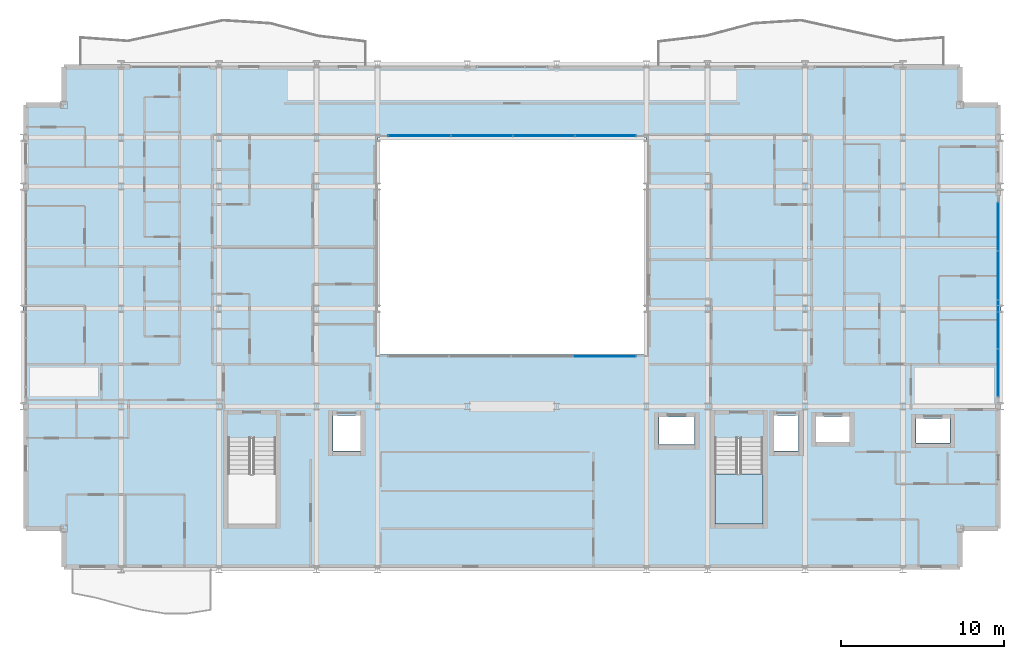
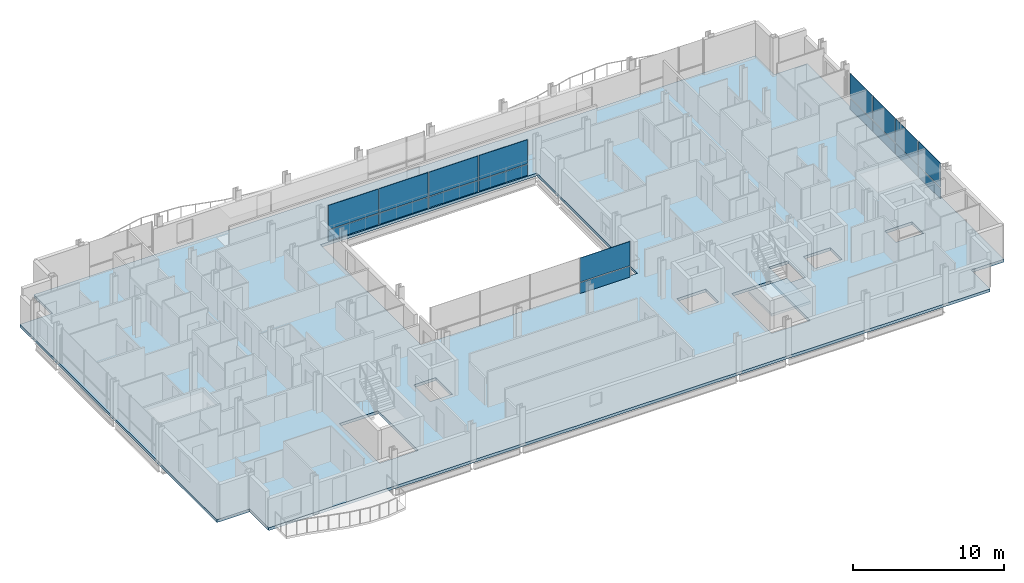
# One storey, part 27 of 41: 18 plates, 2 slabs, 4 elements without a shape of their own.
"""IFC4 building model written with IfcOpenShell, lengths in metres."""

from ifc_helpers import new_model, si_unit, direction, frame, origin, origin_2d, place, context, subcontext, project, spatial, polyline, rectangle, outline, extrude, material, layer, layer_set, type_object, element, aggregate, save


model = new_model("IFC4")

# Units and contexts
model_context = context("Model", 3, precision=1e-05, world=origin(), true_north=direction((0.0, 1.0)))
body_context = subcontext(model_context, "Body", "Model", "MODEL_VIEW")
ifc_project = project(units=[si_unit("LENGTHUNIT", "METRE"), si_unit("AREAUNIT", "SQUARE_METRE"), si_unit("VOLUMEUNIT", "CUBIC_METRE"), si_unit("PLANEANGLEUNIT", "RADIAN"), si_unit("MASSUNIT", "GRAM", prefix="KILO")], contexts=[model_context])

# Site, building, storey
site_placement = place(None, origin())
site = spatial("IfcSite", under=ifc_project, at=site_placement, CompositionType="ELEMENT")
building_placement = place(site_placement, origin())
building = spatial("IfcBuilding", under=site, at=building_placement, Name="Brevholm Reach", CompositionType="ELEMENT")
storey_placement = place(building_placement, frame((0.0, 0.0, 86.89990234375)))
storey = spatial("IfcBuildingStorey", under=building, at=storey_placement, Name="L25", CompositionType="ELEMENT", Elevation=86.89990234375)

# Curtain wall, plates
ifc_material_1 = material(Name="Dark Anodised Aluminium 6063-T6 and Solar-Control Glass", Category="aluminium")
ifc_layer_1 = layer(ifc_material_1, 0.14990234375)
ifc_layer_set_1 = layer_set([ifc_layer_1], Name="Dark Anodised Aluminium 6063-T6 and Solar-Control Glass")
curtain_wall_type_1 = type_object("IfcCurtainWallType", Name="CW-01", PredefinedType="NOTDEFINED", material=ifc_layer_set_1)
curtain_wall_1_placement = place(storey_placement, origin())
curtain_wall_1 = element("IfcCurtainWall", 1, at=curtain_wall_1_placement, inside=storey, type_object=curtain_wall_type_1, Name="L25 Curtain Wall CW-01", PredefinedType="NOTDEFINED")
ifc_material_2 = material(Name="Dark Solar-Control Double-Glazed IGU Glass", Category="glass")
ifc_layer_2 = layer(ifc_material_2, 0.028076171875)
ifc_layer_set_2 = layer_set([ifc_layer_2], Name="Dark Solar-Control Double-Glazed IGU Glass")
plate_type_1 = type_object("IfcPlateType", Name="CWP-GLZ-28", PredefinedType="CURTAIN_PANEL", material=ifc_layer_set_2)
plate_1_placement = place(storey_placement, frame((59.85009765625, 12.066162109375, 0.0), z_axis=(0.0, 0.0, 1.0), x_axis=(0.0, 1.0, 0.0)))
plate_1 = element("IfcPlate", 2, at=plate_1_placement, type_object=plate_type_1, Name="CP-01 Glazing Panel 1.1", PredefinedType="CURTAIN_PANEL", context=body_context, shape_type="SweptSolid", body=[
    extrude(rectangle(XDim=2.902587890625, YDim=0.028076171875, at=origin_2d()), origin(), (0.0, 0.0, 1.0), 0.867431640625),
])
plate_2_placement = place(storey_placement, frame((59.85009765625, 12.066162109375, 0.9326171875), z_axis=(0.0, 0.0, 1.0), x_axis=(0.0, 1.0, 0.0)))
plate_2 = element("IfcPlate", 3, at=plate_2_placement, type_object=plate_type_1, Name="CP-01 Glazing Panel 1.2", PredefinedType="CURTAIN_PANEL", context=body_context, shape_type="SweptSolid", body=[
    extrude(rectangle(XDim=2.902587890625, YDim=0.028076171875, at=origin_2d()), origin(), (0.0, 0.0, 1.0), 1.9375),
])
plate_3_placement = place(storey_placement, frame((59.85009765625, 15.050048828125, 0.0), z_axis=(0.0, 0.0, 1.0), x_axis=(0.0, 1.0, 0.0)))
plate_3 = element("IfcPlate", 4, at=plate_3_placement, type_object=plate_type_1, Name="CP-01 Glazing Panel 2.1", PredefinedType="CURTAIN_PANEL", context=body_context, shape_type="SweptSolid", body=[
    extrude(rectangle(XDim=2.93505859375, YDim=0.028076171875, at=origin_2d()), origin(), (0.0, 0.0, 1.0), 0.867431640625),
])
plate_4_placement = place(storey_placement, frame((59.85009765625, 15.050048828125, 0.9326171875), z_axis=(0.0, 0.0, 1.0), x_axis=(0.0, 1.0, 0.0)))
plate_4 = element("IfcPlate", 5, at=plate_4_placement, type_object=plate_type_1, Name="CP-01 Glazing Panel 2.2", PredefinedType="CURTAIN_PANEL", context=body_context, shape_type="SweptSolid", body=[
    extrude(rectangle(XDim=2.93505859375, YDim=0.028076171875, at=origin_2d()), origin(), (0.0, 0.0, 1.0), 1.9375),
])
plate_5_placement = place(storey_placement, frame((59.85009765625, 18.050048828125, 0.0), z_axis=(0.0, 0.0, 1.0), x_axis=(0.0, 1.0, 0.0)))
plate_5 = element("IfcPlate", 6, at=plate_5_placement, type_object=plate_type_1, Name="CP-01 Glazing Panel 3.1", PredefinedType="CURTAIN_PANEL", context=body_context, shape_type="SweptSolid", body=[
    extrude(rectangle(XDim=2.93505859375, YDim=0.028076171875, at=origin_2d()), origin(), (0.0, 0.0, 1.0), 0.867431640625),
])
plate_6_placement = place(storey_placement, frame((59.85009765625, 18.050048828125, 0.9326171875), z_axis=(0.0, 0.0, 1.0), x_axis=(0.0, 1.0, 0.0)))
plate_6 = element("IfcPlate", 7, at=plate_6_placement, type_object=plate_type_1, Name="CP-01 Glazing Panel 3.2", PredefinedType="CURTAIN_PANEL", context=body_context, shape_type="SweptSolid", body=[
    extrude(rectangle(XDim=2.93505859375, YDim=0.028076171875, at=origin_2d()), origin(), (0.0, 0.0, 1.0), 1.9375),
])
plate_7_placement = place(storey_placement, frame((59.85009765625, 21.050048828125, 0.0), z_axis=(0.0, 0.0, 1.0), x_axis=(0.0, 1.0, 0.0)))
plate_7 = element("IfcPlate", 8, at=plate_7_placement, type_object=plate_type_1, Name="CP-01 Glazing Panel 4.1", PredefinedType="CURTAIN_PANEL", context=body_context, shape_type="SweptSolid", body=[
    extrude(rectangle(XDim=2.93505859375, YDim=0.028076171875, at=origin_2d()), origin(), (0.0, 0.0, 1.0), 0.867431640625),
])
plate_8_placement = place(storey_placement, frame((59.85009765625, 21.050048828125, 0.9326171875), z_axis=(0.0, 0.0, 1.0), x_axis=(0.0, 1.0, 0.0)))
plate_8 = element("IfcPlate", 9, at=plate_8_placement, type_object=plate_type_1, Name="CP-01 Glazing Panel 4.2", PredefinedType="CURTAIN_PANEL", context=body_context, shape_type="SweptSolid", body=[
    extrude(rectangle(XDim=2.93505859375, YDim=0.028076171875, at=origin_2d()), origin(), (0.0, 0.0, 1.0), 1.9375),
])
aggregate(curtain_wall_1, [plate_1, plate_2, plate_3, plate_4, plate_5, plate_6, plate_7, plate_8])

ifc_material_3 = material(Name="Dark Anodised Aluminium 6063-T6 and Solar-Control Glass", Category="aluminium")
ifc_layer_3 = layer(ifc_material_3, 0.139892578125)
ifc_layer_set_3 = layer_set([ifc_layer_3], Name="Dark Anodised Aluminium 6063-T6 and Solar-Control Glass")
curtain_wall_type_2 = type_object("IfcCurtainWallType", Name="CW-02", PredefinedType="NOTDEFINED", material=ifc_layer_set_3)
curtain_wall_2_placement = place(storey_placement, origin())
curtain_wall_2 = element("IfcCurtainWall", 10, at=curtain_wall_2_placement, inside=storey, type_object=curtain_wall_type_2, Name="L25 Curtain Wall CW-02", PredefinedType="NOTDEFINED")
ifc_material_4 = material(Name="Low-Iron Laminated Acoustic Glass", Category="glass")
ifc_layer_4 = layer(ifc_material_4, 0.035888671875)
ifc_layer_set_4 = layer_set([ifc_layer_4], Name="Low-Iron Laminated Acoustic Glass")
plate_type_2 = type_object("IfcPlateType", Name="CWP-GLZ-36", PredefinedType="CURTAIN_PANEL", material=ifc_layer_set_4)
plate_9_placement = place(storey_placement, frame((35.68505859375, 13.080078125, 0.0), z_axis=(0.0, 0.0, 1.0), x_axis=(1.0, 0.0, 0.0)))
plate_9 = element("IfcPlate", 11, at=plate_9_placement, type_object=plate_type_2, Name="CP-02 Glazing Panel 4.1", PredefinedType="CURTAIN_PANEL", context=body_context, shape_type="SweptSolid", body=[
    extrude(rectangle(XDim=3.81005859375, YDim=0.035888671875, at=origin_2d()), origin(), (0.0, 0.0, 1.0), 0.8701171875),
])
plate_10_placement = place(storey_placement, frame((35.68505859375, 13.080078125, 0.93017578125), z_axis=(0.0, 0.0, 1.0), x_axis=(1.0, 0.0, 0.0)))
plate_10 = element("IfcPlate", 12, at=plate_10_placement, type_object=plate_type_2, Name="CP-02 Glazing Panel 4.2", PredefinedType="CURTAIN_PANEL", context=body_context, shape_type="SweptSolid", body=[
    extrude(rectangle(XDim=3.81005859375, YDim=0.035888671875, at=origin_2d()), origin(), (0.0, 0.0, 1.0), 1.93994140625),
])
aggregate(curtain_wall_2, [plate_9, plate_10])

curtain_wall_3_placement = place(storey_placement, origin())
curtain_wall_3 = element("IfcCurtainWall", 13, at=curtain_wall_3_placement, inside=storey, type_object=curtain_wall_type_2, Name="L25 Curtain Wall CW-02", PredefinedType="NOTDEFINED")
plate_11_placement = place(storey_placement, frame((35.735107421875, 26.6201171875, 0.0), z_axis=(0.0, 0.0, 1.0), x_axis=(-1.0, 0.0, 0.0)))
plate_11 = element("IfcPlate", 14, at=plate_11_placement, type_object=plate_type_2, Name="CP-02 Glazing Panel 1.1", PredefinedType="CURTAIN_PANEL", context=body_context, shape_type="SweptSolid", body=[
    extrude(rectangle(XDim=3.7099609375, YDim=0.035888671875, at=origin_2d()), origin(), (0.0, 0.0, 1.0), 0.8701171875),
])
plate_12_placement = place(storey_placement, frame((35.735107421875, 26.6201171875, 0.93017578125), z_axis=(0.0, 0.0, 1.0), x_axis=(-1.0, 0.0, 0.0)))
plate_12 = element("IfcPlate", 15, at=plate_12_placement, type_object=plate_type_2, Name="CP-02 Glazing Panel 1.2", PredefinedType="CURTAIN_PANEL", context=body_context, shape_type="SweptSolid", body=[
    extrude(rectangle(XDim=3.7099609375, YDim=0.035888671875, at=origin_2d()), origin(), (0.0, 0.0, 1.0), 1.93994140625),
])
plate_13_placement = place(storey_placement, frame((31.949951171875, 26.6201171875, 0.0), z_axis=(0.0, 0.0, 1.0), x_axis=(-1.0, 0.0, 0.0)))
plate_13 = element("IfcPlate", 16, at=plate_13_placement, type_object=plate_type_2, Name="CP-02 Glazing Panel 2.1", PredefinedType="CURTAIN_PANEL", context=body_context, shape_type="SweptSolid", body=[
    extrude(rectangle(XDim=3.739990234375, YDim=0.035888671875, at=origin_2d()), origin(), (0.0, 0.0, 1.0), 0.8701171875),
])
plate_14_placement = place(storey_placement, frame((31.949951171875, 26.6201171875, 0.93017578125), z_axis=(0.0, 0.0, 1.0), x_axis=(-1.0, 0.0, 0.0)))
plate_14 = element("IfcPlate", 17, at=plate_14_placement, type_object=plate_type_2, Name="CP-02 Glazing Panel 2.2", PredefinedType="CURTAIN_PANEL", context=body_context, shape_type="SweptSolid", body=[
    extrude(rectangle(XDim=3.739990234375, YDim=0.035888671875, at=origin_2d()), origin(), (0.0, 0.0, 1.0), 1.93994140625),
])
plate_15_placement = place(storey_placement, frame((28.14990234375, 26.6201171875, 0.0), z_axis=(0.0, 0.0, 1.0), x_axis=(-1.0, 0.0, 0.0)))
plate_15 = element("IfcPlate", 18, at=plate_15_placement, type_object=plate_type_2, Name="CP-02 Glazing Panel 3.1", PredefinedType="CURTAIN_PANEL", context=body_context, shape_type="SweptSolid", body=[
    extrude(rectangle(XDim=3.739990234375, YDim=0.035888671875, at=origin_2d()), origin(), (0.0, 0.0, 1.0), 0.8701171875),
])
plate_16_placement = place(storey_placement, frame((28.14990234375, 26.6201171875, 0.93017578125), z_axis=(0.0, 0.0, 1.0), x_axis=(-1.0, 0.0, 0.0)))
plate_16 = element("IfcPlate", 19, at=plate_16_placement, type_object=plate_type_2, Name="CP-02 Glazing Panel 3.2", PredefinedType="CURTAIN_PANEL", context=body_context, shape_type="SweptSolid", body=[
    extrude(rectangle(XDim=3.739990234375, YDim=0.035888671875, at=origin_2d()), origin(), (0.0, 0.0, 1.0), 1.93994140625),
])
plate_17_placement = place(storey_placement, frame((24.31494140625, 26.6201171875, 0.0), z_axis=(0.0, 0.0, 1.0), x_axis=(-1.0, 0.0, 0.0)))
plate_17 = element("IfcPlate", 20, at=plate_17_placement, type_object=plate_type_2, Name="CP-02 Glazing Panel 4.1", PredefinedType="CURTAIN_PANEL", context=body_context, shape_type="SweptSolid", body=[
    extrude(rectangle(XDim=3.81005859375, YDim=0.035888671875, at=origin_2d()), origin(), (0.0, 0.0, 1.0), 0.8701171875),
])
plate_18_placement = place(storey_placement, frame((24.31494140625, 26.6201171875, 0.93017578125), z_axis=(0.0, 0.0, 1.0), x_axis=(-1.0, 0.0, 0.0)))
plate_18 = element("IfcPlate", 21, at=plate_18_placement, type_object=plate_type_2, Name="CP-02 Glazing Panel 4.2", PredefinedType="CURTAIN_PANEL", context=body_context, shape_type="SweptSolid", body=[
    extrude(rectangle(XDim=3.81005859375, YDim=0.035888671875, at=origin_2d()), origin(), (0.0, 0.0, 1.0), 1.93994140625),
])
aggregate(curtain_wall_3, [plate_11, plate_12, plate_13, plate_14, plate_15, plate_16, plate_17, plate_18])

# Slab
ifc_material_5 = material(Name="Concrete C40/50", Category="concrete")
ifc_layer_5 = layer(ifc_material_5, 0.22998046875)
ifc_layer_set_5 = layer_set([ifc_layer_5], Name="Concrete C40/50")
slab_type_1 = type_object("IfcSlabType", Name="SLB-FL-230", PredefinedType="FLOOR", material=ifc_layer_set_5)
slab_1_placement = place(storey_placement, frame((0.0, 0.0, -0.22998046875)))
element("IfcSlab", 22, at=slab_1_placement, inside=storey, type_object=slab_type_1, Name="L25 Suspended Floor Slab (main)", PredefinedType="FLOOR", context=body_context, shape_type="SweptSolid", body=[
    extrude(outline(polyline([(2.5, 0.0), (57.5, 0.0), (57.5, 2.5), (60.0, 2.5), (60.0, 28.5), (57.5, 28.5), (57.5, 31.0), (2.5, 31.0), (2.5, 28.5), (0.0, 28.5), (0.0, 2.5), (2.5, 2.5), (2.5, 0.0)]), holes=[polyline([(21.75, 13.199951171875), (38.25, 13.199951171875), (38.25, 26.5), (21.75, 26.5), (21.75, 13.199951171875)]), polyline([(12.550048828125, 2.780029296875), (15.5, 2.780029296875), (15.5, 8.044921875), (12.550048828125, 8.044921875), (12.550048828125, 2.780029296875)]), polyline([(42.449951171875, 2.780029296875), (45.39990234375, 2.780029296875), (45.39990234375, 8.044921875), (42.449951171875, 8.044921875), (42.449951171875, 2.780029296875)]), polyline([(19.0, 7.25), (20.699951171875, 7.25), (20.699951171875, 9.449951171875), (19.0, 9.449951171875), (19.0, 7.25)]), polyline([(46.10009765625, 7.25), (47.60009765625, 7.25), (47.60009765625, 9.449951171875), (46.10009765625, 9.449951171875), (46.10009765625, 7.25)]), polyline([(48.675048828125, 7.824951171875), (50.72509765625, 7.824951171875), (50.72509765625, 9.375), (48.675048828125, 9.375), (48.675048828125, 7.824951171875)]), polyline([(54.800048828125, 7.75), (56.89990234375, 7.75), (56.89990234375, 9.25), (54.800048828125, 9.25), (54.800048828125, 7.75)]), polyline([(39.02001953125, 7.64990234375), (41.219970703125, 7.64990234375), (41.219970703125, 9.35009765625), (39.02001953125, 9.35009765625), (39.02001953125, 7.64990234375)])]), origin(), (0.0, 0.0, 1.0), 0.22998046875),
])

# Stair, slab
ifc_material_6 = material(Name="Precast Concrete C40/50", Category="concrete")
stair_type = type_object("IfcStairType", Name="STR-ESC-1400", PredefinedType="DOUBLE_RETURN_STAIR", material=ifc_material_6)
stair_placement = place(storey_placement, origin())
stair = element("IfcStair", 23, at=stair_placement, inside=storey, type_object=stair_type, Name="L25 ST-2", PredefinedType="DOUBLE_RETURN_STAIR")
ifc_material_7 = material(Name="Concrete C40/50", Category="concrete")
ifc_layer_6 = layer(ifc_material_7, 0.199951171875)
ifc_layer_set_6 = layer_set([ifc_layer_6], Name="Concrete C40/50")
slab_type_2 = type_object("IfcSlabType", Name="SLB-LND-200", PredefinedType="LANDING", material=ifc_layer_set_6)
slab_2_placement = place(storey_placement, frame((0.0, 0.0, 1.35009765625)))
slab_2 = element("IfcSlab", 24, at=slab_2_placement, type_object=slab_type_2, Name="ST-2 landing 1", PredefinedType="LANDING", context=body_context, shape_type="SweptSolid", body=[
    extrude(outline(polyline([(42.449951171875, 5.860107421875), (42.449951171875, 2.780029296875), (45.39990234375, 2.780029296875), (45.39990234375, 5.860107421875), (42.449951171875, 5.860107421875)])), origin(), (0.0, 0.0, 1.0), 0.199951171875),
])
aggregate(stair, [slab_2])

save(model, "model.ifc")
